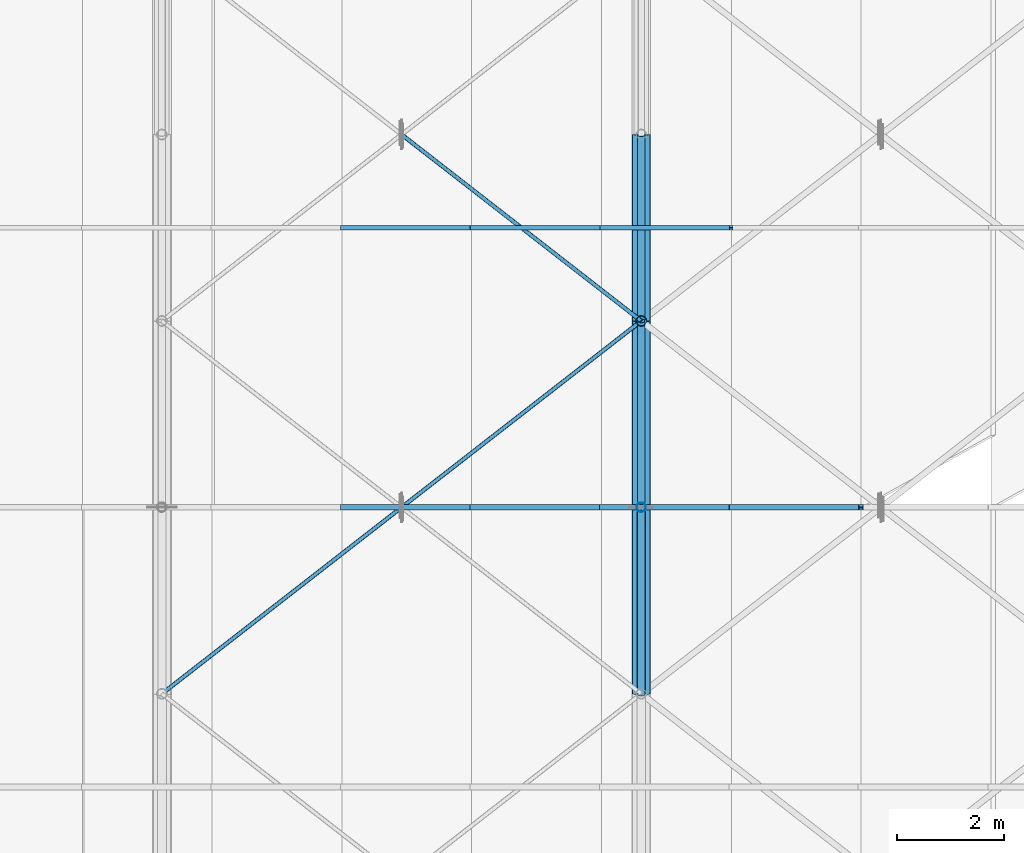
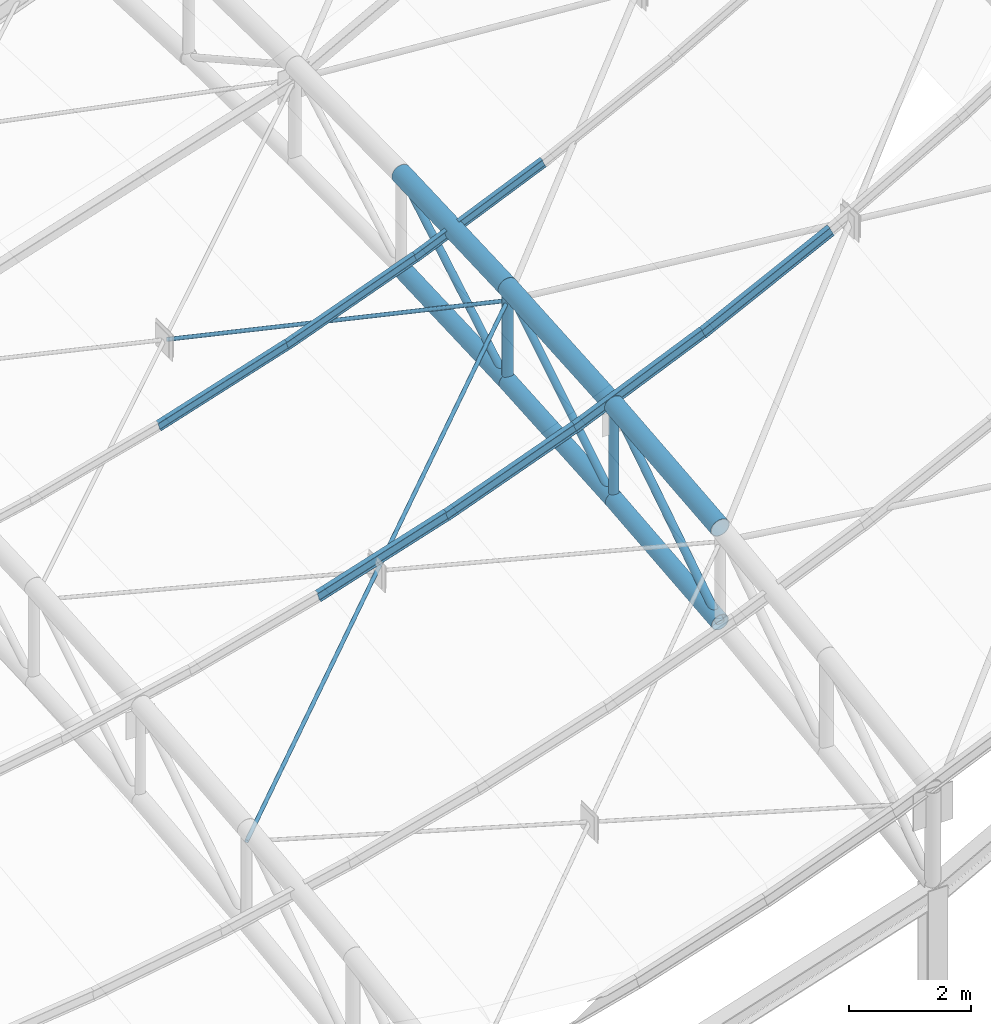
# One storey, part 31 of 262: 20 members.
"""IFC4 building model written with IfcOpenShell, lengths in metres."""

from ifc_helpers import new_model, si_unit, derived_unit, direction, frame, origin, origin_2d, place, context, subcontext, project, spatial, hollow_circle, i_section, extrude, material, material_profile, profile_set, type_object, element, save


model = new_model("IFC4")

# Units and contexts
model_context = context("Model", 3, precision=1e-05, world=origin(), true_north=direction((0.0, 1.0)))
body_context = subcontext(model_context, "Body", "Model", "MODEL_VIEW")
ifc_project = project(units=[si_unit("LENGTHUNIT", "METRE"), si_unit("AREAUNIT", "SQUARE_METRE"), si_unit("VOLUMEUNIT", "CUBIC_METRE"), si_unit("PLANEANGLEUNIT", "RADIAN"), si_unit("MASSUNIT", "GRAM", prefix="KILO"), derived_unit("THERMALTRANSMITTANCEUNIT", [(si_unit("POWERUNIT", "WATT"), 1), (si_unit("LENGTHUNIT", "METRE"), -2), (si_unit("THERMODYNAMICTEMPERATUREUNIT", "KELVIN"), -1)])], contexts=[model_context])

# Site, building, storey
site_placement = place(None, origin())
site = spatial("IfcSite", under=ifc_project, at=site_placement, CompositionType="ELEMENT")
building_placement = place(site_placement, origin())
building = spatial("IfcBuilding", under=site, at=building_placement, Name="Almenara Railside Exhibition Hall", CompositionType="ELEMENT")
storey_placement = place(building_placement, frame((0.0, 0.0, 21.699951171875)))
storey = spatial("IfcBuildingStorey", under=building, at=storey_placement, Name="RF", CompositionType="ELEMENT", Elevation=21.699951171875)

# Members
ifc_material = material(Name="Structural steel S355JR", Category="steel")
ifc_material_profile_1 = material_profile(ifc_material, hollow_circle(Radius=0.0380859375, WallThickness=0.003662109375, at=origin_2d()), Name="CHS 76.1x3.6")
ifc_profile_set_1 = profile_set([ifc_material_profile_1], Name="Structural steel S355JR")
member_type_1 = type_object("IfcMemberType", Name="Lantern Cross-Tie Brace CHS 76.1x3.6 S355JR", PredefinedType="BRACE", material=ifc_profile_set_1)
member_1_placement = place(storey_placement, frame((48.0, 7.0, -6.150634765625), z_axis=(0.755123484766, 0.587318265929, 0.291282984846), x_axis=(-0.613940613515, 0.789352217376, 0.0)))
element("IfcMember", 1, at=member_1_placement, inside=storey, type_object=member_type_1, Name="MEM-WB-V4-WB-CHS76-05-02-C", PredefinedType="BRACE", context=body_context, shape_type="SweptSolid", body=[
    extrude(hollow_circle(Radius=0.0380859375, WallThickness=0.003662109375, at=origin_2d()), origin(), (0.0, 0.0, 1.0), 11.918701171875),
])
member_2_placement = place(storey_placement, frame((52.5322265625, 17.474853515625, -4.005126953125), z_axis=(0.768544764163, -0.597743039799, 0.228127604313), x_axis=(0.613931654796, 0.789359185187, 0.0)))
element("IfcMember", 2, at=member_2_placement, inside=storey, type_object=member_type_1, Name="MEM-WB-V4-WB-CHS76-05-04-S2", PredefinedType="BRACE", context=body_context, shape_type="SweptSolid", body=[
    extrude(hollow_circle(Radius=0.0380859375, WallThickness=0.003662109375, at=origin_2d()), origin(), (0.0, 0.0, 1.0), 5.813232421875),
])
ifc_material_profile_2 = material_profile(ifc_material, i_section(OverallWidth=0.091064453125, OverallDepth=0.179931640625, WebThickness=0.00537109375, FlangeThickness=0.008056640625, FilletRadius=0.009033203125, at=origin_2d()), Name="IPE 180")
ifc_profile_set_2 = profile_set([ifc_material_profile_2], Name="Structural steel S355JR")
member_type_2 = type_object("IfcMemberType", Name="Plenary Roof Purlin IPE 180 S355JR", PredefinedType="PURLIN", material=ifc_profile_set_2)
member_3_placement = place(storey_placement, frame((51.3798828125, 15.75, -4.291015625), z_axis=(0.952468462339, 0.0, 0.304637207594), x_axis=(0.0, 1.0, 0.0)))
element("IfcMember", 3, at=member_3_placement, inside=storey, type_object=member_type_2, Name="MEM-PR-V4-PR-IPE180-03-22", PredefinedType="PURLIN", context=body_context, shape_type="SweptSolid", body=[
    extrude(i_section(OverallWidth=0.091064453125, OverallDepth=0.179931640625, WebThickness=0.00537109375, FlangeThickness=0.008056640625, FilletRadius=0.009033203125, at=origin_2d()), origin(), (0.0, 0.0, 1.0), 2.55810546875),
])
member_4_placement = place(storey_placement, frame((53.81640625, 15.75, -3.516845703125), z_axis=(0.936171044044, 0.0, 0.351544842508), x_axis=(0.0, 1.0, 0.0)))
element("IfcMember", 4, at=member_4_placement, inside=storey, type_object=member_type_2, Name="MEM-PR-V4-PR-IPE180-03-23", PredefinedType="PURLIN", context=body_context, shape_type="SweptSolid", body=[
    extrude(i_section(OverallWidth=0.091064453125, OverallDepth=0.179931640625, WebThickness=0.00537109375, FlangeThickness=0.008056640625, FilletRadius=0.009033203125, at=origin_2d()), origin(), (0.0, 0.0, 1.0), 2.60302734375),
])
member_5_placement = place(storey_placement, frame((56.253173828125, 15.75, -2.608154296875), z_axis=(0.917189812532, 0.0, 0.398450558775), x_axis=(0.0, 1.0, 0.0)))
element("IfcMember", 5, at=member_5_placement, inside=storey, type_object=member_type_2, Name="MEM-PR-V4-PR-IPE180-03-24", PredefinedType="PURLIN", context=body_context, shape_type="SweptSolid", body=[
    extrude(i_section(OverallWidth=0.091064453125, OverallDepth=0.179931640625, WebThickness=0.00537109375, FlangeThickness=0.008056640625, FilletRadius=0.009033203125, at=origin_2d()), origin(), (0.0, 0.0, 1.0), 2.65673828125),
])
ifc_material_profile_3 = material_profile(ifc_material, hollow_circle(Radius=0.161865234375, WallThickness=0.010009765625, at=origin_2d()), Name="CHS 323.9x10")
ifc_profile_set_3 = profile_set([ifc_material_profile_3], Name="Structural steel S355JR")
member_type_3 = type_object("IfcMemberType", Name="Plenary Truss Bottom Chord CHS 323.9x10 S355JR", PredefinedType="CHORD", material=ifc_profile_set_3)
member_6_placement = place(storey_placement, frame((57.0, 7.0, -4.899169921875), z_axis=(0.0, 0.995034440995, 0.099531207337), x_axis=(-1.0, 0.0, 0.0)))
element("IfcMember", 6, at=member_6_placement, inside=storey, type_object=member_type_3, Name="MEM-BC-V4-06-02", PredefinedType="CHORD", context=body_context, shape_type="SweptSolid", body=[
    extrude(hollow_circle(Radius=0.161865234375, WallThickness=0.010009765625, at=origin_2d()), origin(), (0.0, 0.0, 1.0), 3.517578125),
])
member_7_placement = place(storey_placement, frame((57.0, 10.5, -4.549072265625), z_axis=(0.0, 0.997458699831, 0.071247049988), x_axis=(-1.0, 0.0, 0.0)))
element("IfcMember", 7, at=member_7_placement, inside=storey, type_object=member_type_3, Name="MEM-BC-V4-06-03", PredefinedType="CHORD", context=body_context, shape_type="SweptSolid", body=[
    extrude(hollow_circle(Radius=0.161865234375, WallThickness=0.010009765625, at=origin_2d()), origin(), (0.0, 0.0, 1.0), 3.509033203125),
])
member_8_placement = place(storey_placement, frame((57.0, 14.0, -4.299072265625), z_axis=(0.0, 0.999084087935, 0.042790013253), x_axis=(-1.0, 0.0, 0.0)))
element("IfcMember", 8, at=member_8_placement, inside=storey, type_object=member_type_3, Name="MEM-BC-V4-06-04", PredefinedType="CHORD", context=body_context, shape_type="SweptSolid", body=[
    extrude(hollow_circle(Radius=0.161865234375, WallThickness=0.010009765625, at=origin_2d()), origin(), (0.0, 0.0, 1.0), 3.503173828125),
])
ifc_material_profile_4 = material_profile(ifc_material, hollow_circle(Radius=0.177734375, WallThickness=0.012451171875, at=origin_2d()), Name="CHS 355.6x12.5")
ifc_profile_set_4 = profile_set([ifc_material_profile_4], Name="Structural steel S355JR")
member_type_4 = type_object("IfcMemberType", Name="Plenary Truss Top Chord CHS 355.6x12.5 S355JR", PredefinedType="CHORD", material=ifc_profile_set_4)
member_9_placement = place(storey_placement, frame((57.0, 7.0, -2.9990234375), z_axis=(0.0, 0.995041312637, 0.09946248612), x_axis=(-1.0, 0.0, 0.0)))
element("IfcMember", 9, at=member_9_placement, inside=storey, type_object=member_type_4, Name="MEM-TC-V4-06-02", PredefinedType="CHORD", context=body_context, shape_type="SweptSolid", body=[
    extrude(hollow_circle(Radius=0.177734375, WallThickness=0.012451171875, at=origin_2d()), origin(), (0.0, 0.0, 1.0), 3.517333984375),
])
member_10_placement = place(storey_placement, frame((57.0, 10.5, -2.649169921875), z_axis=(0.0, 0.997458699831, 0.071247049988), x_axis=(-1.0, 0.0, 0.0)))
element("IfcMember", 10, at=member_10_placement, inside=storey, type_object=member_type_4, Name="MEM-TC-V4-06-03", PredefinedType="CHORD", context=body_context, shape_type="SweptSolid", body=[
    extrude(hollow_circle(Radius=0.177734375, WallThickness=0.012451171875, at=origin_2d()), origin(), (0.0, 0.0, 1.0), 3.509033203125),
])
member_11_placement = place(storey_placement, frame((57.0, 14.0, -2.399169921875), z_axis=(0.0, 0.999081106193, 0.042859575914), x_axis=(-1.0, 0.0, 0.0)))
element("IfcMember", 11, at=member_11_placement, inside=storey, type_object=member_type_4, Name="MEM-TC-V4-06-04", PredefinedType="CHORD", context=body_context, shape_type="SweptSolid", body=[
    extrude(hollow_circle(Radius=0.177734375, WallThickness=0.012451171875, at=origin_2d()), origin(), (0.0, 0.0, 1.0), 3.503173828125),
])
ifc_material_profile_5 = material_profile(ifc_material, i_section(OverallWidth=0.10009765625, OverallDepth=0.199951171875, WebThickness=0.005615234375, FlangeThickness=0.008544921875, FilletRadius=0.011962890625, at=origin_2d()), Name="IPE 200")
ifc_profile_set_5 = profile_set([ifc_material_profile_5], Name="Structural steel S355JR")
member_type_5 = type_object("IfcMemberType", Name="Standard Hall Roof Purlin IPE 200 S355JR", PredefinedType="PURLIN", material=ifc_profile_set_5)
member_12_placement = place(storey_placement, frame((51.3798828125, 10.5, -4.52880859375), z_axis=(0.952440767254, 0.0, 0.304723784553), x_axis=(0.0, 1.0, 0.0)))
element("IfcMember", 12, at=member_12_placement, inside=storey, type_object=member_type_5, Name="MEM-PR-V4-PR-IPE200-02-22", PredefinedType="PURLIN", context=body_context, shape_type="SweptSolid", body=[
    extrude(i_section(OverallWidth=0.10009765625, OverallDepth=0.199951171875, WebThickness=0.005615234375, FlangeThickness=0.008544921875, FilletRadius=0.011962890625, at=origin_2d()), origin(), (0.0, 0.0, 1.0), 2.55810546875),
])
member_13_placement = place(storey_placement, frame((53.81640625, 10.5, -3.754638671875), z_axis=(0.936171044044, 0.0, 0.351544842508), x_axis=(0.0, 1.0, 0.0)))
element("IfcMember", 13, at=member_13_placement, inside=storey, type_object=member_type_5, Name="MEM-PR-V4-PR-IPE200-02-23", PredefinedType="PURLIN", context=body_context, shape_type="SweptSolid", body=[
    extrude(i_section(OverallWidth=0.10009765625, OverallDepth=0.199951171875, WebThickness=0.005615234375, FlangeThickness=0.008544921875, FilletRadius=0.011962890625, at=origin_2d()), origin(), (0.0, 0.0, 1.0), 2.60302734375),
])
member_14_placement = place(storey_placement, frame((56.253173828125, 10.5, -2.84619140625), z_axis=(0.917223393452, 0.0, 0.398373250237), x_axis=(0.0, 1.0, 0.0)))
element("IfcMember", 14, at=member_14_placement, inside=storey, type_object=member_type_5, Name="MEM-PR-V4-PR-IPE200-02-24", PredefinedType="PURLIN", context=body_context, shape_type="SweptSolid", body=[
    extrude(i_section(OverallWidth=0.10009765625, OverallDepth=0.199951171875, WebThickness=0.005615234375, FlangeThickness=0.008544921875, FilletRadius=0.011962890625, at=origin_2d()), origin(), (0.0, 0.0, 1.0), 2.65673828125),
])
member_15_placement = place(storey_placement, frame((58.68994140625, 10.5, -1.795654296875), z_axis=(0.895376074457, 0.0, 0.445310773831), x_axis=(0.0, 1.0, 0.0)))
element("IfcMember", 15, at=member_15_placement, inside=storey, type_object=member_type_5, Name="MEM-PR-V4-PR-IPE200-02-25", PredefinedType="PURLIN", context=body_context, shape_type="SweptSolid", body=[
    extrude(i_section(OverallWidth=0.10009765625, OverallDepth=0.199951171875, WebThickness=0.005615234375, FlangeThickness=0.008544921875, FilletRadius=0.011962890625, at=origin_2d()), origin(), (0.0, 0.0, 1.0), 2.721435546875),
])
ifc_material_profile_6 = material_profile(ifc_material, hollow_circle(Radius=0.06982421875, WallThickness=0.0048828125, at=origin_2d()), Name="CHS 139.7x5")
ifc_profile_set_6 = profile_set([ifc_material_profile_6], Name="Structural steel S355JR")
member_type_6 = type_object("IfcMemberType", Name="Truss Inner Diagonal CHS 139.7x5 S355JR", PredefinedType="BRACE", material=ifc_profile_set_6)
member_16_placement = place(storey_placement, frame((57.0, 10.5, -4.549072265625), z_axis=(0.0, 0.852086589476, 0.523400844512), x_axis=(-1.0, 0.0, 0.0)))
element("IfcMember", 16, at=member_16_placement, inside=storey, type_object=member_type_6, Name="MEM-TD-V4-06-03", PredefinedType="BRACE", context=body_context, shape_type="SweptSolid", body=[
    extrude(hollow_circle(Radius=0.06982421875, WallThickness=0.0048828125, at=origin_2d()), origin(), (0.0, 0.0, 1.0), 4.107666015625),
])
member_17_placement = place(storey_placement, frame((57.0, 14.0, -4.299072265625), z_axis=(0.0, 0.862878111278, 0.505412074526), x_axis=(-1.0, 0.0, 0.0)))
element("IfcMember", 17, at=member_17_placement, inside=storey, type_object=member_type_6, Name="MEM-TD-V4-06-04", PredefinedType="BRACE", context=body_context, shape_type="SweptSolid", body=[
    extrude(hollow_circle(Radius=0.06982421875, WallThickness=0.0048828125, at=origin_2d()), origin(), (0.0, 0.0, 1.0), 4.05615234375),
])
ifc_material_profile_7 = material_profile(ifc_material, hollow_circle(Radius=0.076171875, WallThickness=0.0048828125, at=origin_2d()), Name="CHS 152.4x5")
ifc_profile_set_7 = profile_set([ifc_material_profile_7], Name="Structural steel S355JR")
member_type_7 = type_object("IfcMemberType", Name="Truss Mid Diagonal CHS 152.4x5 S355JR", PredefinedType="BRACE", material=ifc_profile_set_7)
member_18_placement = place(storey_placement, frame((57.0, 7.0, -4.899169921875), z_axis=(0.0, 0.841178475377, 0.540757591313), x_axis=(-1.0, 0.0, 0.0)))
element("IfcMember", 18, at=member_18_placement, inside=storey, type_object=member_type_7, Name="MEM-TD-V4-06-02", PredefinedType="BRACE", context=body_context, shape_type="SweptSolid", body=[
    extrude(hollow_circle(Radius=0.076171875, WallThickness=0.0048828125, at=origin_2d()), origin(), (0.0, 0.0, 1.0), 4.160888671875),
])
ifc_material_profile_8 = material_profile(ifc_material, hollow_circle(Radius=0.0888671875, WallThickness=0.006103515625, at=origin_2d()), Name="CHS 177.8x6")
ifc_profile_set_8 = profile_set([ifc_material_profile_8], Name="Structural steel S355JR")
member_type_8 = type_object("IfcMemberType", Name="Truss Quarter Vertical Strut CHS 177.8x6 S355JR", PredefinedType="BRACE", material=ifc_profile_set_8)
member_19_placement = place(storey_placement, frame((57.0, 10.5, -4.549072265625), z_axis=(0.0, 0.0, 1.0), x_axis=(1.0, 0.0, 0.0)))
element("IfcMember", 19, at=member_19_placement, inside=storey, type_object=member_type_8, Name="MEM-TV-V4-06-03", PredefinedType="BRACE", context=body_context, shape_type="SweptSolid", body=[
    extrude(hollow_circle(Radius=0.0888671875, WallThickness=0.006103515625, at=origin_2d()), origin(), (0.0, 0.0, 1.0), 1.89990234375),
])
ifc_material_profile_9 = material_profile(ifc_material, hollow_circle(Radius=0.096923828125, WallThickness=0.00634765625, at=origin_2d()), Name="CHS 193.7x6.3")
ifc_profile_set_9 = profile_set([ifc_material_profile_9], Name="Structural steel S355JR")
member_type_9 = type_object("IfcMemberType", Name="Truss Standard Vertical Strut CHS 193.7x6.3 S355JR", PredefinedType="BRACE", material=ifc_profile_set_9)
member_20_placement = place(storey_placement, frame((57.0, 14.0, -4.299072265625), z_axis=(0.0, 0.0, 1.0), x_axis=(1.0, 0.0, 0.0)))
element("IfcMember", 20, at=member_20_placement, inside=storey, type_object=member_type_9, Name="MEM-TV-V4-06-04", PredefinedType="BRACE", context=body_context, shape_type="SweptSolid", body=[
    extrude(hollow_circle(Radius=0.096923828125, WallThickness=0.00634765625, at=origin_2d()), origin(), (0.0, 0.0, 1.0), 1.89990234375),
])

save(model, "model.ifc")
